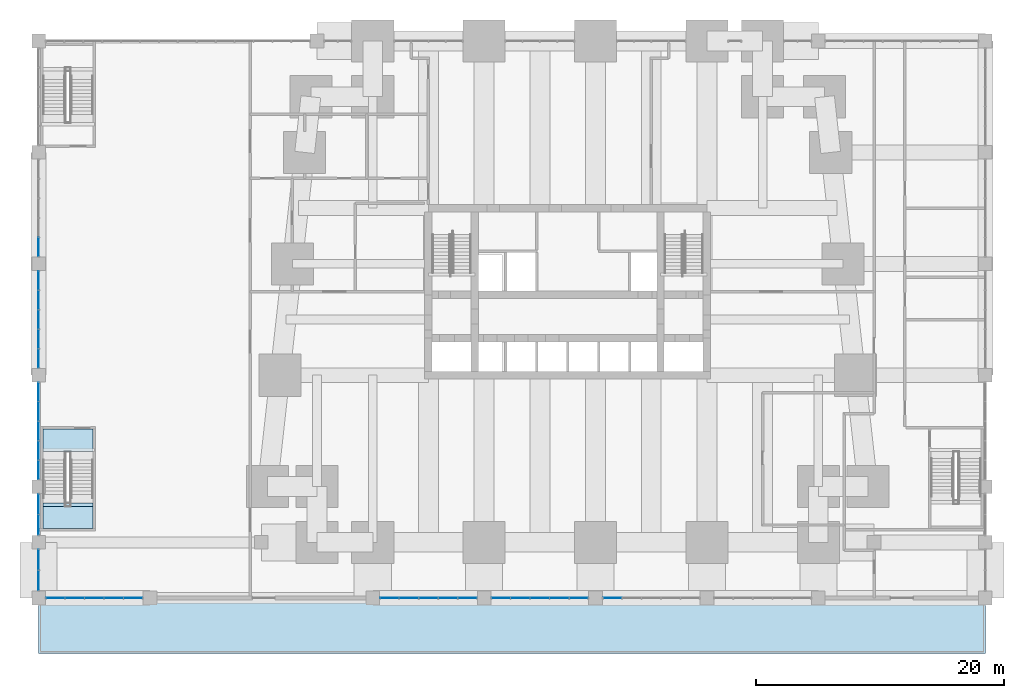
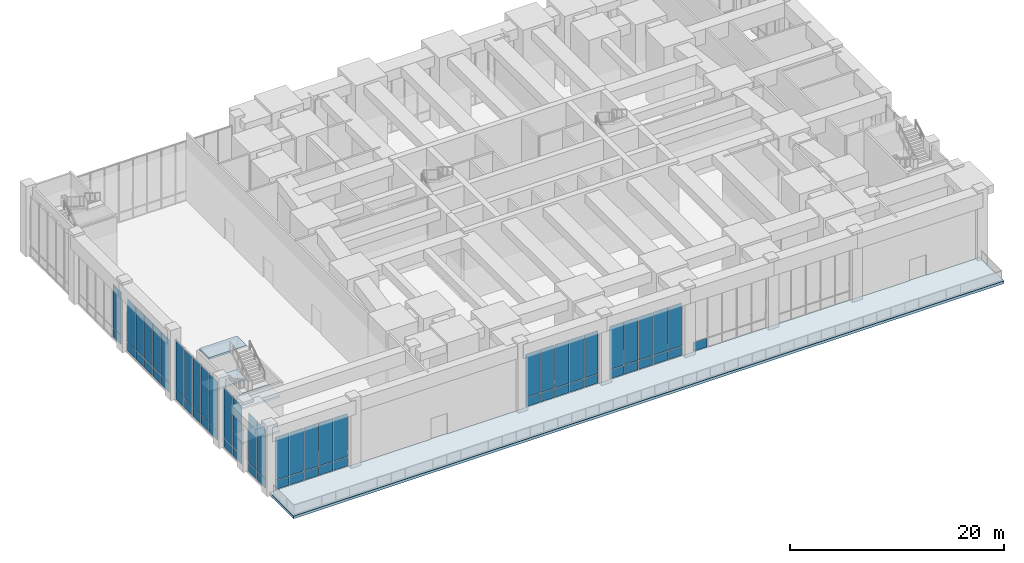
# One storey, part 14 of 26: 61 plates, 5 slabs, 10 elements without a shape of their own.
"""IFC4 building model written with IfcOpenShell, lengths in metres."""

from ifc_helpers import new_model, si_unit, direction, frame, origin, origin_2d, place, context, subcontext, project, spatial, polyline, rectangle, outline, extrude, material, layer, layer_set, type_object, element, aggregate, save


model = new_model("IFC4")

# Units and contexts
model_context = context("Model", 3, precision=1e-05, world=origin(), true_north=direction((0.0, 1.0)))
body_context = subcontext(model_context, "Body", "Model", "MODEL_VIEW")
ifc_project = project(units=[si_unit("LENGTHUNIT", "METRE"), si_unit("AREAUNIT", "SQUARE_METRE"), si_unit("VOLUMEUNIT", "CUBIC_METRE"), si_unit("PLANEANGLEUNIT", "RADIAN"), si_unit("MASSUNIT", "GRAM", prefix="KILO")], contexts=[model_context])

# Site, building, storey
site_placement = place(None, origin())
site = spatial("IfcSite", under=ifc_project, at=site_placement, CompositionType="ELEMENT")
building_placement = place(site_placement, origin())
building = spatial("IfcBuilding", under=site, at=building_placement, Name="Kilele Tower Hotel", CompositionType="ELEMENT")
storey_placement = place(building_placement, frame((0.0, 0.0, 11.0)))
storey = spatial("IfcBuildingStorey", under=building, at=storey_placement, Name="L02", CompositionType="ELEMENT", Elevation=11.0)

# Curtain wall, plates
ifc_material_1 = material(Name="Aluminium curtain wall, clear double glazing", Category="aluminium")
curtain_wall_type_1 = type_object("IfcCurtainWallType", Name="Podium curtain wall CW-1", PredefinedType="NOTDEFINED", material=ifc_material_1)
curtain_wall_1_placement = place(storey_placement, origin())
curtain_wall_1 = element("IfcCurtainWall", 1, at=curtain_wall_1_placement, inside=storey, type_object=curtain_wall_type_1, Name="Podium curtain wall CW-1 L02", PredefinedType="NOTDEFINED")
ifc_material_2 = material(Name="Clear double glazing", Category="glass")
ifc_layer_1 = layer(ifc_material_2, 0.028076171875)
ifc_layer_set_1 = layer_set([ifc_layer_1], Name="Clear double glazing")
plate_type_1 = type_object("IfcPlateType", Name="Glazed panel 28 CW-1", PredefinedType="CURTAIN_PANEL", material=ifc_layer_set_1)
plate_1_placement = place(storey_placement, frame((-16.64501953125, -4.5, 0.06005859375), z_axis=(0.0, 0.0, 1.0), x_axis=(1.0, 0.0, 0.0)))
plate_1 = element("IfcPlate", 2, at=plate_1_placement, type_object=plate_type_1, Name="CW-1 panel 1.1", PredefinedType="CURTAIN_PANEL", context=body_context, shape_type="SweptSolid", body=[
    extrude(rectangle(XDim=1.489990234375, YDim=0.028076171875, at=origin_2d()), origin(), (0.0, 0.0, 1.0), 1.010009765625),
])
plate_2_placement = place(storey_placement, frame((-16.64501953125, -4.5, 1.1298828125), z_axis=(0.0, 0.0, 1.0), x_axis=(1.0, 0.0, 0.0)))
plate_2 = element("IfcPlate", 3, at=plate_2_placement, type_object=plate_type_1, Name="CW-1 panel 1.2", PredefinedType="CURTAIN_PANEL", context=body_context, shape_type="SweptSolid", body=[
    extrude(rectangle(XDim=1.489990234375, YDim=0.028076171875, at=origin_2d()), origin(), (0.0, 0.0, 1.0), 4.909912109375),
])
plate_3_placement = place(storey_placement, frame((-15.080078125, -4.5, 0.06005859375), z_axis=(0.0, 0.0, 1.0), x_axis=(1.0, 0.0, 0.0)))
plate_3 = element("IfcPlate", 4, at=plate_3_placement, type_object=plate_type_1, Name="CW-1 panel 2.1", PredefinedType="CURTAIN_PANEL", context=body_context, shape_type="SweptSolid", body=[
    extrude(rectangle(XDim=1.52001953125, YDim=0.028076171875, at=origin_2d()), origin(), (0.0, 0.0, 1.0), 1.010009765625),
])
plate_4_placement = place(storey_placement, frame((-15.080078125, -4.5, 1.1298828125), z_axis=(0.0, 0.0, 1.0), x_axis=(1.0, 0.0, 0.0)))
plate_4 = element("IfcPlate", 5, at=plate_4_placement, type_object=plate_type_1, Name="CW-1 panel 2.2", PredefinedType="CURTAIN_PANEL", context=body_context, shape_type="SweptSolid", body=[
    extrude(rectangle(XDim=1.52001953125, YDim=0.028076171875, at=origin_2d()), origin(), (0.0, 0.0, 1.0), 4.909912109375),
])
plate_5_placement = place(storey_placement, frame((-13.5, -4.5, 0.06005859375), z_axis=(0.0, 0.0, 1.0), x_axis=(1.0, 0.0, 0.0)))
plate_5 = element("IfcPlate", 6, at=plate_5_placement, type_object=plate_type_1, Name="CW-1 panel 3.1", PredefinedType="CURTAIN_PANEL", context=body_context, shape_type="SweptSolid", body=[
    extrude(rectangle(XDim=1.52001953125, YDim=0.028076171875, at=origin_2d()), origin(), (0.0, 0.0, 1.0), 1.010009765625),
])
plate_6_placement = place(storey_placement, frame((-13.5, -4.5, 1.1298828125), z_axis=(0.0, 0.0, 1.0), x_axis=(1.0, 0.0, 0.0)))
plate_6 = element("IfcPlate", 7, at=plate_6_placement, type_object=plate_type_1, Name="CW-1 panel 3.2", PredefinedType="CURTAIN_PANEL", context=body_context, shape_type="SweptSolid", body=[
    extrude(rectangle(XDim=1.52001953125, YDim=0.028076171875, at=origin_2d()), origin(), (0.0, 0.0, 1.0), 4.909912109375),
])
plate_7_placement = place(storey_placement, frame((-11.919921875, -4.5, 0.06005859375), z_axis=(0.0, 0.0, 1.0), x_axis=(1.0, 0.0, 0.0)))
plate_7 = element("IfcPlate", 8, at=plate_7_placement, type_object=plate_type_1, Name="CW-1 panel 4.1", PredefinedType="CURTAIN_PANEL", context=body_context, shape_type="SweptSolid", body=[
    extrude(rectangle(XDim=1.52001953125, YDim=0.028076171875, at=origin_2d()), origin(), (0.0, 0.0, 1.0), 1.010009765625),
])
plate_8_placement = place(storey_placement, frame((-11.919921875, -4.5, 1.1298828125), z_axis=(0.0, 0.0, 1.0), x_axis=(1.0, 0.0, 0.0)))
plate_8 = element("IfcPlate", 9, at=plate_8_placement, type_object=plate_type_1, Name="CW-1 panel 4.2", PredefinedType="CURTAIN_PANEL", context=body_context, shape_type="SweptSolid", body=[
    extrude(rectangle(XDim=1.52001953125, YDim=0.028076171875, at=origin_2d()), origin(), (0.0, 0.0, 1.0), 4.909912109375),
])
plate_9_placement = place(storey_placement, frame((-10.35498046875, -4.5, 0.06005859375), z_axis=(0.0, 0.0, 1.0), x_axis=(1.0, 0.0, 0.0)))
plate_9 = element("IfcPlate", 10, at=plate_9_placement, type_object=plate_type_1, Name="CW-1 panel 5.1", PredefinedType="CURTAIN_PANEL", context=body_context, shape_type="SweptSolid", body=[
    extrude(rectangle(XDim=1.489990234375, YDim=0.028076171875, at=origin_2d()), origin(), (0.0, 0.0, 1.0), 1.010009765625),
])
plate_10_placement = place(storey_placement, frame((-10.35498046875, -4.5, 1.1298828125), z_axis=(0.0, 0.0, 1.0), x_axis=(1.0, 0.0, 0.0)))
plate_10 = element("IfcPlate", 11, at=plate_10_placement, type_object=plate_type_1, Name="CW-1 panel 5.2", PredefinedType="CURTAIN_PANEL", context=body_context, shape_type="SweptSolid", body=[
    extrude(rectangle(XDim=1.489990234375, YDim=0.028076171875, at=origin_2d()), origin(), (0.0, 0.0, 1.0), 4.909912109375),
])
aggregate(curtain_wall_1, [plate_1, plate_2, plate_3, plate_4, plate_5, plate_6, plate_7, plate_8, plate_9, plate_10])

curtain_wall_2_placement = place(storey_placement, origin())
curtain_wall_2 = element("IfcCurtainWall", 12, at=curtain_wall_2_placement, inside=storey, type_object=curtain_wall_type_1, Name="Podium curtain wall CW-1 L02", PredefinedType="NOTDEFINED")
plate_11_placement = place(storey_placement, frame((10.35498046875, -4.5, 0.06005859375), z_axis=(0.0, 0.0, 1.0), x_axis=(1.0, 0.0, 0.0)))
plate_11 = element("IfcPlate", 13, at=plate_11_placement, type_object=plate_type_1, Name="CW-1 panel 1.1", PredefinedType="CURTAIN_PANEL", context=body_context, shape_type="SweptSolid", body=[
    extrude(rectangle(XDim=1.489990234375, YDim=0.028076171875, at=origin_2d()), origin(), (0.0, 0.0, 1.0), 1.010009765625),
])
plate_12_placement = place(storey_placement, frame((10.35498046875, -4.5, 1.1298828125), z_axis=(0.0, 0.0, 1.0), x_axis=(1.0, 0.0, 0.0)))
plate_12 = element("IfcPlate", 14, at=plate_12_placement, type_object=plate_type_1, Name="CW-1 panel 1.2", PredefinedType="CURTAIN_PANEL", context=body_context, shape_type="SweptSolid", body=[
    extrude(rectangle(XDim=1.489990234375, YDim=0.028076171875, at=origin_2d()), origin(), (0.0, 0.0, 1.0), 4.909912109375),
])
plate_13_placement = place(storey_placement, frame((11.919921875, -4.5, 0.06005859375), z_axis=(0.0, 0.0, 1.0), x_axis=(1.0, 0.0, 0.0)))
plate_13 = element("IfcPlate", 15, at=plate_13_placement, type_object=plate_type_1, Name="CW-1 panel 2.1", PredefinedType="CURTAIN_PANEL", context=body_context, shape_type="SweptSolid", body=[
    extrude(rectangle(XDim=1.52001953125, YDim=0.028076171875, at=origin_2d()), origin(), (0.0, 0.0, 1.0), 1.010009765625),
])
plate_14_placement = place(storey_placement, frame((11.919921875, -4.5, 1.1298828125), z_axis=(0.0, 0.0, 1.0), x_axis=(1.0, 0.0, 0.0)))
plate_14 = element("IfcPlate", 16, at=plate_14_placement, type_object=plate_type_1, Name="CW-1 panel 2.2", PredefinedType="CURTAIN_PANEL", context=body_context, shape_type="SweptSolid", body=[
    extrude(rectangle(XDim=1.52001953125, YDim=0.028076171875, at=origin_2d()), origin(), (0.0, 0.0, 1.0), 4.909912109375),
])
plate_15_placement = place(storey_placement, frame((13.5, -4.5, 0.06005859375), z_axis=(0.0, 0.0, 1.0), x_axis=(1.0, 0.0, 0.0)))
plate_15 = element("IfcPlate", 17, at=plate_15_placement, type_object=plate_type_1, Name="CW-1 panel 3.1", PredefinedType="CURTAIN_PANEL", context=body_context, shape_type="SweptSolid", body=[
    extrude(rectangle(XDim=1.52001953125, YDim=0.028076171875, at=origin_2d()), origin(), (0.0, 0.0, 1.0), 1.010009765625),
])
plate_16_placement = place(storey_placement, frame((13.5, -4.5, 1.1298828125), z_axis=(0.0, 0.0, 1.0), x_axis=(1.0, 0.0, 0.0)))
plate_16 = element("IfcPlate", 18, at=plate_16_placement, type_object=plate_type_1, Name="CW-1 panel 3.2", PredefinedType="CURTAIN_PANEL", context=body_context, shape_type="SweptSolid", body=[
    extrude(rectangle(XDim=1.52001953125, YDim=0.028076171875, at=origin_2d()), origin(), (0.0, 0.0, 1.0), 4.909912109375),
])
plate_17_placement = place(storey_placement, frame((15.080078125, -4.5, 0.06005859375), z_axis=(0.0, 0.0, 1.0), x_axis=(1.0, 0.0, 0.0)))
plate_17 = element("IfcPlate", 19, at=plate_17_placement, type_object=plate_type_1, Name="CW-1 panel 4.1", PredefinedType="CURTAIN_PANEL", context=body_context, shape_type="SweptSolid", body=[
    extrude(rectangle(XDim=1.52001953125, YDim=0.028076171875, at=origin_2d()), origin(), (0.0, 0.0, 1.0), 1.010009765625),
])
plate_18_placement = place(storey_placement, frame((15.080078125, -4.5, 1.1298828125), z_axis=(0.0, 0.0, 1.0), x_axis=(1.0, 0.0, 0.0)))
plate_18 = element("IfcPlate", 20, at=plate_18_placement, type_object=plate_type_1, Name="CW-1 panel 4.2", PredefinedType="CURTAIN_PANEL", context=body_context, shape_type="SweptSolid", body=[
    extrude(rectangle(XDim=1.52001953125, YDim=0.028076171875, at=origin_2d()), origin(), (0.0, 0.0, 1.0), 4.909912109375),
])
plate_19_placement = place(storey_placement, frame((16.64501953125, -4.5, 0.06005859375), z_axis=(0.0, 0.0, 1.0), x_axis=(1.0, 0.0, 0.0)))
plate_19 = element("IfcPlate", 21, at=plate_19_placement, type_object=plate_type_1, Name="CW-1 panel 5.1", PredefinedType="CURTAIN_PANEL", context=body_context, shape_type="SweptSolid", body=[
    extrude(rectangle(XDim=1.489990234375, YDim=0.028076171875, at=origin_2d()), origin(), (0.0, 0.0, 1.0), 1.010009765625),
])
plate_20_placement = place(storey_placement, frame((16.64501953125, -4.5, 1.1298828125), z_axis=(0.0, 0.0, 1.0), x_axis=(1.0, 0.0, 0.0)))
plate_20 = element("IfcPlate", 22, at=plate_20_placement, type_object=plate_type_1, Name="CW-1 panel 5.2", PredefinedType="CURTAIN_PANEL", context=body_context, shape_type="SweptSolid", body=[
    extrude(rectangle(XDim=1.489990234375, YDim=0.028076171875, at=origin_2d()), origin(), (0.0, 0.0, 1.0), 4.909912109375),
])
aggregate(curtain_wall_2, [plate_11, plate_12, plate_13, plate_14, plate_15, plate_16, plate_17, plate_18, plate_19, plate_20])

curtain_wall_3_placement = place(storey_placement, origin())
curtain_wall_3 = element("IfcCurtainWall", 23, at=curtain_wall_3_placement, inside=storey, type_object=curtain_wall_type_1, Name="Podium curtain wall CW-1 L02", PredefinedType="NOTDEFINED")
plate_21_placement = place(storey_placement, frame((19.35498046875, -4.5, 0.06005859375), z_axis=(0.0, 0.0, 1.0), x_axis=(1.0, 0.0, 0.0)))
plate_21 = element("IfcPlate", 24, at=plate_21_placement, type_object=plate_type_1, Name="CW-1 panel 1.1", PredefinedType="CURTAIN_PANEL", context=body_context, shape_type="SweptSolid", body=[
    extrude(rectangle(XDim=1.489990234375, YDim=0.028076171875, at=origin_2d()), origin(), (0.0, 0.0, 1.0), 1.010009765625),
])
plate_22_placement = place(storey_placement, frame((19.35498046875, -4.5, 1.1298828125), z_axis=(0.0, 0.0, 1.0), x_axis=(1.0, 0.0, 0.0)))
plate_22 = element("IfcPlate", 25, at=plate_22_placement, type_object=plate_type_1, Name="CW-1 panel 1.2", PredefinedType="CURTAIN_PANEL", context=body_context, shape_type="SweptSolid", body=[
    extrude(rectangle(XDim=1.489990234375, YDim=0.028076171875, at=origin_2d()), origin(), (0.0, 0.0, 1.0), 4.909912109375),
])
plate_23_placement = place(storey_placement, frame((20.919921875, -4.5, 0.06005859375), z_axis=(0.0, 0.0, 1.0), x_axis=(1.0, 0.0, 0.0)))
plate_23 = element("IfcPlate", 26, at=plate_23_placement, type_object=plate_type_1, Name="CW-1 panel 2.1", PredefinedType="CURTAIN_PANEL", context=body_context, shape_type="SweptSolid", body=[
    extrude(rectangle(XDim=1.52001953125, YDim=0.028076171875, at=origin_2d()), origin(), (0.0, 0.0, 1.0), 1.010009765625),
])
plate_24_placement = place(storey_placement, frame((20.919921875, -4.5, 1.1298828125), z_axis=(0.0, 0.0, 1.0), x_axis=(1.0, 0.0, 0.0)))
plate_24 = element("IfcPlate", 27, at=plate_24_placement, type_object=plate_type_1, Name="CW-1 panel 2.2", PredefinedType="CURTAIN_PANEL", context=body_context, shape_type="SweptSolid", body=[
    extrude(rectangle(XDim=1.52001953125, YDim=0.028076171875, at=origin_2d()), origin(), (0.0, 0.0, 1.0), 4.909912109375),
])
plate_25_placement = place(storey_placement, frame((22.5, -4.5, 0.06005859375), z_axis=(0.0, 0.0, 1.0), x_axis=(1.0, 0.0, 0.0)))
plate_25 = element("IfcPlate", 28, at=plate_25_placement, type_object=plate_type_1, Name="CW-1 panel 3.1", PredefinedType="CURTAIN_PANEL", context=body_context, shape_type="SweptSolid", body=[
    extrude(rectangle(XDim=1.52001953125, YDim=0.028076171875, at=origin_2d()), origin(), (0.0, 0.0, 1.0), 1.010009765625),
])
plate_26_placement = place(storey_placement, frame((22.5, -4.5, 1.1298828125), z_axis=(0.0, 0.0, 1.0), x_axis=(1.0, 0.0, 0.0)))
plate_26 = element("IfcPlate", 29, at=plate_26_placement, type_object=plate_type_1, Name="CW-1 panel 3.2", PredefinedType="CURTAIN_PANEL", context=body_context, shape_type="SweptSolid", body=[
    extrude(rectangle(XDim=1.52001953125, YDim=0.028076171875, at=origin_2d()), origin(), (0.0, 0.0, 1.0), 4.909912109375),
])
plate_27_placement = place(storey_placement, frame((24.080078125, -4.5, 0.06005859375), z_axis=(0.0, 0.0, 1.0), x_axis=(1.0, 0.0, 0.0)))
plate_27 = element("IfcPlate", 30, at=plate_27_placement, type_object=plate_type_1, Name="CW-1 panel 4.1", PredefinedType="CURTAIN_PANEL", context=body_context, shape_type="SweptSolid", body=[
    extrude(rectangle(XDim=1.52001953125, YDim=0.028076171875, at=origin_2d()), origin(), (0.0, 0.0, 1.0), 1.010009765625),
])
plate_28_placement = place(storey_placement, frame((24.080078125, -4.5, 1.1298828125), z_axis=(0.0, 0.0, 1.0), x_axis=(1.0, 0.0, 0.0)))
plate_28 = element("IfcPlate", 31, at=plate_28_placement, type_object=plate_type_1, Name="CW-1 panel 4.2", PredefinedType="CURTAIN_PANEL", context=body_context, shape_type="SweptSolid", body=[
    extrude(rectangle(XDim=1.52001953125, YDim=0.028076171875, at=origin_2d()), origin(), (0.0, 0.0, 1.0), 4.909912109375),
])
plate_29_placement = place(storey_placement, frame((25.64501953125, -4.5, 0.06005859375), z_axis=(0.0, 0.0, 1.0), x_axis=(1.0, 0.0, 0.0)))
plate_29 = element("IfcPlate", 32, at=plate_29_placement, type_object=plate_type_1, Name="CW-1 panel 5.1", PredefinedType="CURTAIN_PANEL", context=body_context, shape_type="SweptSolid", body=[
    extrude(rectangle(XDim=1.489990234375, YDim=0.028076171875, at=origin_2d()), origin(), (0.0, 0.0, 1.0), 1.010009765625),
])
plate_30_placement = place(storey_placement, frame((25.64501953125, -4.5, 1.1298828125), z_axis=(0.0, 0.0, 1.0), x_axis=(1.0, 0.0, 0.0)))
plate_30 = element("IfcPlate", 33, at=plate_30_placement, type_object=plate_type_1, Name="CW-1 panel 5.2", PredefinedType="CURTAIN_PANEL", context=body_context, shape_type="SweptSolid", body=[
    extrude(rectangle(XDim=1.489990234375, YDim=0.028076171875, at=origin_2d()), origin(), (0.0, 0.0, 1.0), 4.909912109375),
])
aggregate(curtain_wall_3, [plate_21, plate_22, plate_23, plate_24, plate_25, plate_26, plate_27, plate_28, plate_29, plate_30])

# Curtain wall, plate
curtain_wall_4_placement = place(storey_placement, origin())
curtain_wall_4 = element("IfcCurtainWall", 34, at=curtain_wall_4_placement, inside=storey, type_object=curtain_wall_type_1, Name="Podium curtain wall CW-1 L02", PredefinedType="NOTDEFINED")
plate_31_placement = place(storey_placement, frame((28.35498046875, -4.5, 0.06005859375), z_axis=(0.0, 0.0, 1.0), x_axis=(1.0, 0.0, 0.0)))
plate_31 = element("IfcPlate", 35, at=plate_31_placement, type_object=plate_type_1, Name="CW-1 panel 1.1", PredefinedType="CURTAIN_PANEL", context=body_context, shape_type="SweptSolid", body=[
    extrude(rectangle(XDim=1.489990234375, YDim=0.028076171875, at=origin_2d()), origin(), (0.0, 0.0, 1.0), 1.010009765625),
])
aggregate(curtain_wall_4, [plate_31])

# Curtain wall, plates
ifc_material_3 = material(Name="Aluminium curtain wall, clear double glazing", Category="aluminium")
curtain_wall_type_2 = type_object("IfcCurtainWallType", Name="Podium side curtain wall CW-2", PredefinedType="NOTDEFINED", material=ifc_material_3)
curtain_wall_5_placement = place(storey_placement, origin())
curtain_wall_5 = element("IfcCurtainWall", 36, at=curtain_wall_5_placement, inside=storey, type_object=curtain_wall_type_2, Name="Podium side curtain wall CW-2 L02", PredefinedType="NOTDEFINED")
ifc_material_4 = material(Name="Clear double glazing", Category="glass")
ifc_layer_2 = layer(ifc_material_4, 0.028076171875)
ifc_layer_set_2 = layer_set([ifc_layer_2], Name="Clear double glazing")
plate_type_2 = type_object("IfcPlateType", Name="Glazed panel 28 CW-2", PredefinedType="CURTAIN_PANEL", material=ifc_layer_set_2)
plate_32_placement = place(storey_placement, frame((-18.0, 23.85498046875, 0.06005859375), z_axis=(0.0, 0.0, 1.0), x_axis=(0.0, -1.0, 0.0)))
plate_32 = element("IfcPlate", 37, at=plate_32_placement, type_object=plate_type_2, Name="CW-2 panel 5.1", PredefinedType="CURTAIN_PANEL", context=body_context, shape_type="SweptSolid", body=[
    extrude(rectangle(XDim=1.489990234375, YDim=0.028076171875, at=origin_2d()), origin(), (0.0, 0.0, 1.0), 1.010009765625),
])
plate_33_placement = place(storey_placement, frame((-18.0, 23.85498046875, 1.1298828125), z_axis=(0.0, 0.0, 1.0), x_axis=(0.0, -1.0, 0.0)))
plate_33 = element("IfcPlate", 38, at=plate_33_placement, type_object=plate_type_2, Name="CW-2 panel 5.2", PredefinedType="CURTAIN_PANEL", context=body_context, shape_type="SweptSolid", body=[
    extrude(rectangle(XDim=1.489990234375, YDim=0.028076171875, at=origin_2d()), origin(), (0.0, 0.0, 1.0), 4.909912109375),
])
aggregate(curtain_wall_5, [plate_32, plate_33])

curtain_wall_6_placement = place(storey_placement, origin())
curtain_wall_6 = element("IfcCurtainWall", 39, at=curtain_wall_6_placement, inside=storey, type_object=curtain_wall_type_2, Name="Podium side curtain wall CW-2 L02", PredefinedType="NOTDEFINED")
plate_34_placement = place(storey_placement, frame((-18.0, 21.14501953125, 0.06005859375), z_axis=(0.0, 0.0, 1.0), x_axis=(0.0, -1.0, 0.0)))
plate_34 = element("IfcPlate", 40, at=plate_34_placement, type_object=plate_type_2, Name="CW-2 panel 1.1", PredefinedType="CURTAIN_PANEL", context=body_context, shape_type="SweptSolid", body=[
    extrude(rectangle(XDim=1.489990234375, YDim=0.028076171875, at=origin_2d()), origin(), (0.0, 0.0, 1.0), 1.010009765625),
])
plate_35_placement = place(storey_placement, frame((-18.0, 21.14501953125, 1.1298828125), z_axis=(0.0, 0.0, 1.0), x_axis=(0.0, -1.0, 0.0)))
plate_35 = element("IfcPlate", 41, at=plate_35_placement, type_object=plate_type_2, Name="CW-2 panel 1.2", PredefinedType="CURTAIN_PANEL", context=body_context, shape_type="SweptSolid", body=[
    extrude(rectangle(XDim=1.489990234375, YDim=0.028076171875, at=origin_2d()), origin(), (0.0, 0.0, 1.0), 4.909912109375),
])
plate_36_placement = place(storey_placement, frame((-18.0, 19.580078125, 0.06005859375), z_axis=(0.0, 0.0, 1.0), x_axis=(0.0, -1.0, 0.0)))
plate_36 = element("IfcPlate", 42, at=plate_36_placement, type_object=plate_type_2, Name="CW-2 panel 2.1", PredefinedType="CURTAIN_PANEL", context=body_context, shape_type="SweptSolid", body=[
    extrude(rectangle(XDim=1.52001953125, YDim=0.028076171875, at=origin_2d()), origin(), (0.0, 0.0, 1.0), 1.010009765625),
])
plate_37_placement = place(storey_placement, frame((-18.0, 19.580078125, 1.1298828125), z_axis=(0.0, 0.0, 1.0), x_axis=(0.0, -1.0, 0.0)))
plate_37 = element("IfcPlate", 43, at=plate_37_placement, type_object=plate_type_2, Name="CW-2 panel 2.2", PredefinedType="CURTAIN_PANEL", context=body_context, shape_type="SweptSolid", body=[
    extrude(rectangle(XDim=1.52001953125, YDim=0.028076171875, at=origin_2d()), origin(), (0.0, 0.0, 1.0), 4.909912109375),
])
plate_38_placement = place(storey_placement, frame((-18.0, 18.0, 0.06005859375), z_axis=(0.0, 0.0, 1.0), x_axis=(0.0, -1.0, 0.0)))
plate_38 = element("IfcPlate", 44, at=plate_38_placement, type_object=plate_type_2, Name="CW-2 panel 3.1", PredefinedType="CURTAIN_PANEL", context=body_context, shape_type="SweptSolid", body=[
    extrude(rectangle(XDim=1.52001953125, YDim=0.028076171875, at=origin_2d()), origin(), (0.0, 0.0, 1.0), 1.010009765625),
])
plate_39_placement = place(storey_placement, frame((-18.0, 18.0, 1.1298828125), z_axis=(0.0, 0.0, 1.0), x_axis=(0.0, -1.0, 0.0)))
plate_39 = element("IfcPlate", 45, at=plate_39_placement, type_object=plate_type_2, Name="CW-2 panel 3.2", PredefinedType="CURTAIN_PANEL", context=body_context, shape_type="SweptSolid", body=[
    extrude(rectangle(XDim=1.52001953125, YDim=0.028076171875, at=origin_2d()), origin(), (0.0, 0.0, 1.0), 4.909912109375),
])
plate_40_placement = place(storey_placement, frame((-18.0, 16.419921875, 0.06005859375), z_axis=(0.0, 0.0, 1.0), x_axis=(0.0, -1.0, 0.0)))
plate_40 = element("IfcPlate", 46, at=plate_40_placement, type_object=plate_type_2, Name="CW-2 panel 4.1", PredefinedType="CURTAIN_PANEL", context=body_context, shape_type="SweptSolid", body=[
    extrude(rectangle(XDim=1.52001953125, YDim=0.028076171875, at=origin_2d()), origin(), (0.0, 0.0, 1.0), 1.010009765625),
])
plate_41_placement = place(storey_placement, frame((-18.0, 16.419921875, 1.1298828125), z_axis=(0.0, 0.0, 1.0), x_axis=(0.0, -1.0, 0.0)))
plate_41 = element("IfcPlate", 47, at=plate_41_placement, type_object=plate_type_2, Name="CW-2 panel 4.2", PredefinedType="CURTAIN_PANEL", context=body_context, shape_type="SweptSolid", body=[
    extrude(rectangle(XDim=1.52001953125, YDim=0.028076171875, at=origin_2d()), origin(), (0.0, 0.0, 1.0), 4.909912109375),
])
plate_42_placement = place(storey_placement, frame((-18.0, 14.85498046875, 0.06005859375), z_axis=(0.0, 0.0, 1.0), x_axis=(0.0, -1.0, 0.0)))
plate_42 = element("IfcPlate", 48, at=plate_42_placement, type_object=plate_type_2, Name="CW-2 panel 5.1", PredefinedType="CURTAIN_PANEL", context=body_context, shape_type="SweptSolid", body=[
    extrude(rectangle(XDim=1.489990234375, YDim=0.028076171875, at=origin_2d()), origin(), (0.0, 0.0, 1.0), 1.010009765625),
])
plate_43_placement = place(storey_placement, frame((-18.0, 14.85498046875, 1.1298828125), z_axis=(0.0, 0.0, 1.0), x_axis=(0.0, -1.0, 0.0)))
plate_43 = element("IfcPlate", 49, at=plate_43_placement, type_object=plate_type_2, Name="CW-2 panel 5.2", PredefinedType="CURTAIN_PANEL", context=body_context, shape_type="SweptSolid", body=[
    extrude(rectangle(XDim=1.489990234375, YDim=0.028076171875, at=origin_2d()), origin(), (0.0, 0.0, 1.0), 4.909912109375),
])
aggregate(curtain_wall_6, [plate_34, plate_35, plate_36, plate_37, plate_38, plate_39, plate_40, plate_41, plate_42, plate_43])

curtain_wall_7_placement = place(storey_placement, origin())
curtain_wall_7 = element("IfcCurtainWall", 50, at=curtain_wall_7_placement, inside=storey, type_object=curtain_wall_type_2, Name="Podium side curtain wall CW-2 L02", PredefinedType="NOTDEFINED")
plate_44_placement = place(storey_placement, frame((-18.0, 12.14501953125, 0.06005859375), z_axis=(0.0, 0.0, 1.0), x_axis=(0.0, -1.0, 0.0)))
plate_44 = element("IfcPlate", 51, at=plate_44_placement, type_object=plate_type_2, Name="CW-2 panel 1.1", PredefinedType="CURTAIN_PANEL", context=body_context, shape_type="SweptSolid", body=[
    extrude(rectangle(XDim=1.489990234375, YDim=0.028076171875, at=origin_2d()), origin(), (0.0, 0.0, 1.0), 1.010009765625),
])
plate_45_placement = place(storey_placement, frame((-18.0, 12.14501953125, 1.1298828125), z_axis=(0.0, 0.0, 1.0), x_axis=(0.0, -1.0, 0.0)))
plate_45 = element("IfcPlate", 52, at=plate_45_placement, type_object=plate_type_2, Name="CW-2 panel 1.2", PredefinedType="CURTAIN_PANEL", context=body_context, shape_type="SweptSolid", body=[
    extrude(rectangle(XDim=1.489990234375, YDim=0.028076171875, at=origin_2d()), origin(), (0.0, 0.0, 1.0), 5.610107421875),
])
plate_46_placement = place(storey_placement, frame((-18.0, 10.580078125, 0.06005859375), z_axis=(0.0, 0.0, 1.0), x_axis=(0.0, -1.0, 0.0)))
plate_46 = element("IfcPlate", 53, at=plate_46_placement, type_object=plate_type_2, Name="CW-2 panel 2.1", PredefinedType="CURTAIN_PANEL", context=body_context, shape_type="SweptSolid", body=[
    extrude(rectangle(XDim=1.52001953125, YDim=0.028076171875, at=origin_2d()), origin(), (0.0, 0.0, 1.0), 1.010009765625),
])
plate_47_placement = place(storey_placement, frame((-18.0, 10.580078125, 1.1298828125), z_axis=(0.0, 0.0, 1.0), x_axis=(0.0, -1.0, 0.0)))
plate_47 = element("IfcPlate", 54, at=plate_47_placement, type_object=plate_type_2, Name="CW-2 panel 2.2", PredefinedType="CURTAIN_PANEL", context=body_context, shape_type="SweptSolid", body=[
    extrude(rectangle(XDim=1.52001953125, YDim=0.028076171875, at=origin_2d()), origin(), (0.0, 0.0, 1.0), 5.610107421875),
])
plate_48_placement = place(storey_placement, frame((-18.0, 9.0, 0.06005859375), z_axis=(0.0, 0.0, 1.0), x_axis=(0.0, -1.0, 0.0)))
plate_48 = element("IfcPlate", 55, at=plate_48_placement, type_object=plate_type_2, Name="CW-2 panel 3.1", PredefinedType="CURTAIN_PANEL", context=body_context, shape_type="SweptSolid", body=[
    extrude(rectangle(XDim=1.52001953125, YDim=0.028076171875, at=origin_2d()), origin(), (0.0, 0.0, 1.0), 1.010009765625),
])
plate_49_placement = place(storey_placement, frame((-18.0, 9.0, 1.1298828125), z_axis=(0.0, 0.0, 1.0), x_axis=(0.0, -1.0, 0.0)))
plate_49 = element("IfcPlate", 56, at=plate_49_placement, type_object=plate_type_2, Name="CW-2 panel 3.2", PredefinedType="CURTAIN_PANEL", context=body_context, shape_type="SweptSolid", body=[
    extrude(rectangle(XDim=1.52001953125, YDim=0.028076171875, at=origin_2d()), origin(), (0.0, 0.0, 1.0), 5.610107421875),
])
plate_50_placement = place(storey_placement, frame((-18.0, 7.419921875, 0.06005859375), z_axis=(0.0, 0.0, 1.0), x_axis=(0.0, -1.0, 0.0)))
plate_50 = element("IfcPlate", 57, at=plate_50_placement, type_object=plate_type_2, Name="CW-2 panel 4.1", PredefinedType="CURTAIN_PANEL", context=body_context, shape_type="SweptSolid", body=[
    extrude(rectangle(XDim=1.52001953125, YDim=0.028076171875, at=origin_2d()), origin(), (0.0, 0.0, 1.0), 1.010009765625),
])
plate_51_placement = place(storey_placement, frame((-18.0, 7.419921875, 1.1298828125), z_axis=(0.0, 0.0, 1.0), x_axis=(0.0, -1.0, 0.0)))
plate_51 = element("IfcPlate", 58, at=plate_51_placement, type_object=plate_type_2, Name="CW-2 panel 4.2", PredefinedType="CURTAIN_PANEL", context=body_context, shape_type="SweptSolid", body=[
    extrude(rectangle(XDim=1.52001953125, YDim=0.028076171875, at=origin_2d()), origin(), (0.0, 0.0, 1.0), 5.610107421875),
])
plate_52_placement = place(storey_placement, frame((-18.0, 5.85498046875, 0.06005859375), z_axis=(0.0, 0.0, 1.0), x_axis=(0.0, -1.0, 0.0)))
plate_52 = element("IfcPlate", 59, at=plate_52_placement, type_object=plate_type_2, Name="CW-2 panel 5.1", PredefinedType="CURTAIN_PANEL", context=body_context, shape_type="SweptSolid", body=[
    extrude(rectangle(XDim=1.489990234375, YDim=0.028076171875, at=origin_2d()), origin(), (0.0, 0.0, 1.0), 1.010009765625),
])
plate_53_placement = place(storey_placement, frame((-18.0, 5.85498046875, 1.1298828125), z_axis=(0.0, 0.0, 1.0), x_axis=(0.0, -1.0, 0.0)))
plate_53 = element("IfcPlate", 60, at=plate_53_placement, type_object=plate_type_2, Name="CW-2 panel 5.2", PredefinedType="CURTAIN_PANEL", context=body_context, shape_type="SweptSolid", body=[
    extrude(rectangle(XDim=1.489990234375, YDim=0.028076171875, at=origin_2d()), origin(), (0.0, 0.0, 1.0), 5.610107421875),
])
aggregate(curtain_wall_7, [plate_44, plate_45, plate_46, plate_47, plate_48, plate_49, plate_50, plate_51, plate_52, plate_53])

curtain_wall_8_placement = place(storey_placement, origin())
curtain_wall_8 = element("IfcCurtainWall", 61, at=curtain_wall_8_placement, inside=storey, type_object=curtain_wall_type_2, Name="Podium side curtain wall CW-2 L02", PredefinedType="NOTDEFINED")
plate_54_placement = place(storey_placement, frame((-18.0, 3.0849609375, 0.06005859375), z_axis=(0.0, 0.0, 1.0), x_axis=(0.0, -1.0, 0.0)))
plate_54 = element("IfcPlate", 62, at=plate_54_placement, type_object=plate_type_2, Name="CW-2 panel 1.1", PredefinedType="CURTAIN_PANEL", context=body_context, shape_type="SweptSolid", body=[
    extrude(rectangle(XDim=1.610107421875, YDim=0.028076171875, at=origin_2d()), origin(), (0.0, 0.0, 1.0), 1.010009765625),
])
plate_55_placement = place(storey_placement, frame((-18.0, 3.0849609375, 1.1298828125), z_axis=(0.0, 0.0, 1.0), x_axis=(0.0, -1.0, 0.0)))
plate_55 = element("IfcPlate", 63, at=plate_55_placement, type_object=plate_type_2, Name="CW-2 panel 1.2", PredefinedType="CURTAIN_PANEL", context=body_context, shape_type="SweptSolid", body=[
    extrude(rectangle(XDim=1.610107421875, YDim=0.028076171875, at=origin_2d()), origin(), (0.0, 0.0, 1.0), 5.610107421875),
])
plate_56_placement = place(storey_placement, frame((-18.0, 1.4150390625, 0.06005859375), z_axis=(0.0, 0.0, 1.0), x_axis=(0.0, -1.0, 0.0)))
plate_56 = element("IfcPlate", 64, at=plate_56_placement, type_object=plate_type_2, Name="CW-2 panel 2.1", PredefinedType="CURTAIN_PANEL", context=body_context, shape_type="SweptSolid", body=[
    extrude(rectangle(XDim=1.610107421875, YDim=0.028076171875, at=origin_2d()), origin(), (0.0, 0.0, 1.0), 1.010009765625),
])
plate_57_placement = place(storey_placement, frame((-18.0, 1.4150390625, 1.1298828125), z_axis=(0.0, 0.0, 1.0), x_axis=(0.0, -1.0, 0.0)))
plate_57 = element("IfcPlate", 65, at=plate_57_placement, type_object=plate_type_2, Name="CW-2 panel 2.2", PredefinedType="CURTAIN_PANEL", context=body_context, shape_type="SweptSolid", body=[
    extrude(rectangle(XDim=1.610107421875, YDim=0.028076171875, at=origin_2d()), origin(), (0.0, 0.0, 1.0), 5.610107421875),
])
aggregate(curtain_wall_8, [plate_54, plate_55, plate_56, plate_57])

curtain_wall_9_placement = place(storey_placement, origin())
curtain_wall_9 = element("IfcCurtainWall", 66, at=curtain_wall_9_placement, inside=storey, type_object=curtain_wall_type_2, Name="Podium side curtain wall CW-2 L02", PredefinedType="NOTDEFINED")
plate_58_placement = place(storey_placement, frame((-18.0, -1.4150390625, 0.06005859375), z_axis=(0.0, 0.0, 1.0), x_axis=(0.0, -1.0, 0.0)))
plate_58 = element("IfcPlate", 67, at=plate_58_placement, type_object=plate_type_2, Name="CW-2 panel 1.1", PredefinedType="CURTAIN_PANEL", context=body_context, shape_type="SweptSolid", body=[
    extrude(rectangle(XDim=1.610107421875, YDim=0.028076171875, at=origin_2d()), origin(), (0.0, 0.0, 1.0), 1.010009765625),
])
plate_59_placement = place(storey_placement, frame((-18.0, -1.4150390625, 1.1298828125), z_axis=(0.0, 0.0, 1.0), x_axis=(0.0, -1.0, 0.0)))
plate_59 = element("IfcPlate", 68, at=plate_59_placement, type_object=plate_type_2, Name="CW-2 panel 1.2", PredefinedType="CURTAIN_PANEL", context=body_context, shape_type="SweptSolid", body=[
    extrude(rectangle(XDim=1.610107421875, YDim=0.028076171875, at=origin_2d()), origin(), (0.0, 0.0, 1.0), 5.610107421875),
])
plate_60_placement = place(storey_placement, frame((-18.0, -3.0849609375, 0.06005859375), z_axis=(0.0, 0.0, 1.0), x_axis=(0.0, -1.0, 0.0)))
plate_60 = element("IfcPlate", 69, at=plate_60_placement, type_object=plate_type_2, Name="CW-2 panel 2.1", PredefinedType="CURTAIN_PANEL", context=body_context, shape_type="SweptSolid", body=[
    extrude(rectangle(XDim=1.610107421875, YDim=0.028076171875, at=origin_2d()), origin(), (0.0, 0.0, 1.0), 1.010009765625),
])
plate_61_placement = place(storey_placement, frame((-18.0, -3.0849609375, 1.1298828125), z_axis=(0.0, 0.0, 1.0), x_axis=(0.0, -1.0, 0.0)))
plate_61 = element("IfcPlate", 70, at=plate_61_placement, type_object=plate_type_2, Name="CW-2 panel 2.2", PredefinedType="CURTAIN_PANEL", context=body_context, shape_type="SweptSolid", body=[
    extrude(rectangle(XDim=1.610107421875, YDim=0.028076171875, at=origin_2d()), origin(), (0.0, 0.0, 1.0), 5.610107421875),
])
aggregate(curtain_wall_9, [plate_58, plate_59, plate_60, plate_61])

# Slab
ifc_material_5 = material(Name="Concrete C60/75", Category="concrete")
ifc_layer_3 = layer(ifc_material_5, 0.300048828125)
ifc_layer_set_3 = layer_set([ifc_layer_3], Name="Concrete C60/75")
slab_type_1 = type_object("IfcSlabType", Name="Roof slab 300", PredefinedType="ROOF", material=ifc_layer_set_3)
slab_1_placement = place(storey_placement, frame((0.0, 0.0, -0.300048828125)))
element("IfcSlab", 71, at=slab_1_placement, inside=storey, type_object=slab_type_1, Name="Roof slab level L02", PredefinedType="ROOF", context=body_context, shape_type="SweptSolid", body=[
    extrude(outline(polyline([(58.5, -9.0), (-18.0, -9.0), (-18.0, -4.5009765625), (58.5, -4.5009765625), (58.5, -9.0)])), origin(), (0.0, 0.0, 1.0), 0.300048828125),
])

# Stair, slabs
ifc_material_6 = material(Name="Precast concrete C40/50", Category="concrete")
stair_type = type_object("IfcStairType", Name="Stair 1800 x 8000", PredefinedType="HALF_TURN_STAIR", material=ifc_material_6)
stair_placement = place(storey_placement, origin())
stair = element("IfcStair", 72, at=stair_placement, inside=storey, type_object=stair_type, Name="Stair 4 L02", PredefinedType="HALF_TURN_STAIR")
ifc_material_7 = material(Name="Precast concrete C40/50", Category="concrete")
ifc_layer_4 = layer(ifc_material_7, 0.199951171875)
ifc_layer_set_4 = layer_set([ifc_layer_4], Name="Precast concrete C40/50")
slab_type_2 = type_object("IfcSlabType", Name="Stair landing 200", PredefinedType="LANDING", material=ifc_layer_set_4)
slab_2_placement = place(storey_placement, frame((0.0, 0.0, 1.886962890625)))
slab_2 = element("IfcSlab", 73, at=slab_2_placement, type_object=slab_type_2, Name="ST4 landing 1", PredefinedType="LANDING", context=body_context, shape_type="SweptSolid", body=[
    extrude(outline(polyline([(-17.64990234375, 1.10009765625), (-13.60009765625, 1.10009765625), (-13.60009765625, 2.89990234375), (-17.64990234375, 2.89990234375), (-17.64990234375, 1.10009765625)])), origin(), (0.0, 0.0, 1.0), 0.199951171875),
])
slab_3_placement = place(storey_placement, frame((0.0, 0.0, 3.973876953125)))
slab_3 = element("IfcSlab", 74, at=slab_3_placement, type_object=slab_type_2, Name="ST4 landing 2", PredefinedType="LANDING", context=body_context, shape_type="SweptSolid", body=[
    extrude(outline(polyline([(-17.64990234375, 7.35009765625), (-13.60009765625, 7.35009765625), (-13.60009765625, 9.14990234375), (-17.64990234375, 9.14990234375), (-17.64990234375, 7.35009765625)])), origin(), (0.0, 0.0, 1.0), 0.199951171875),
])
slab_4_placement = place(storey_placement, frame((0.0, 0.0, 5.886962890625)))
slab_4 = element("IfcSlab", 75, at=slab_4_placement, type_object=slab_type_2, Name="ST4 landing 3", PredefinedType="LANDING", context=body_context, shape_type="SweptSolid", body=[
    extrude(outline(polyline([(-17.64990234375, 1.10009765625), (-13.60009765625, 1.10009765625), (-13.60009765625, 3.179931640625), (-17.64990234375, 3.179931640625), (-17.64990234375, 1.10009765625)])), origin(), (0.0, 0.0, 1.0), 0.199951171875),
])
slab_5_placement = place(storey_placement, frame((0.0, 0.0, 7.800048828125)))
slab_5 = element("IfcSlab", 76, at=slab_5_placement, type_object=slab_type_2, Name="ST4 landing 4", PredefinedType="LANDING", context=body_context, shape_type="SweptSolid", body=[
    extrude(outline(polyline([(-17.64990234375, 7.35009765625), (-13.60009765625, 7.35009765625), (-13.60009765625, 9.14990234375), (-17.64990234375, 9.14990234375), (-17.64990234375, 7.35009765625)])), origin(), (0.0, 0.0, 1.0), 0.199951171875),
])
aggregate(stair, [slab_2, slab_3, slab_4, slab_5])

save(model, "model.ifc")
